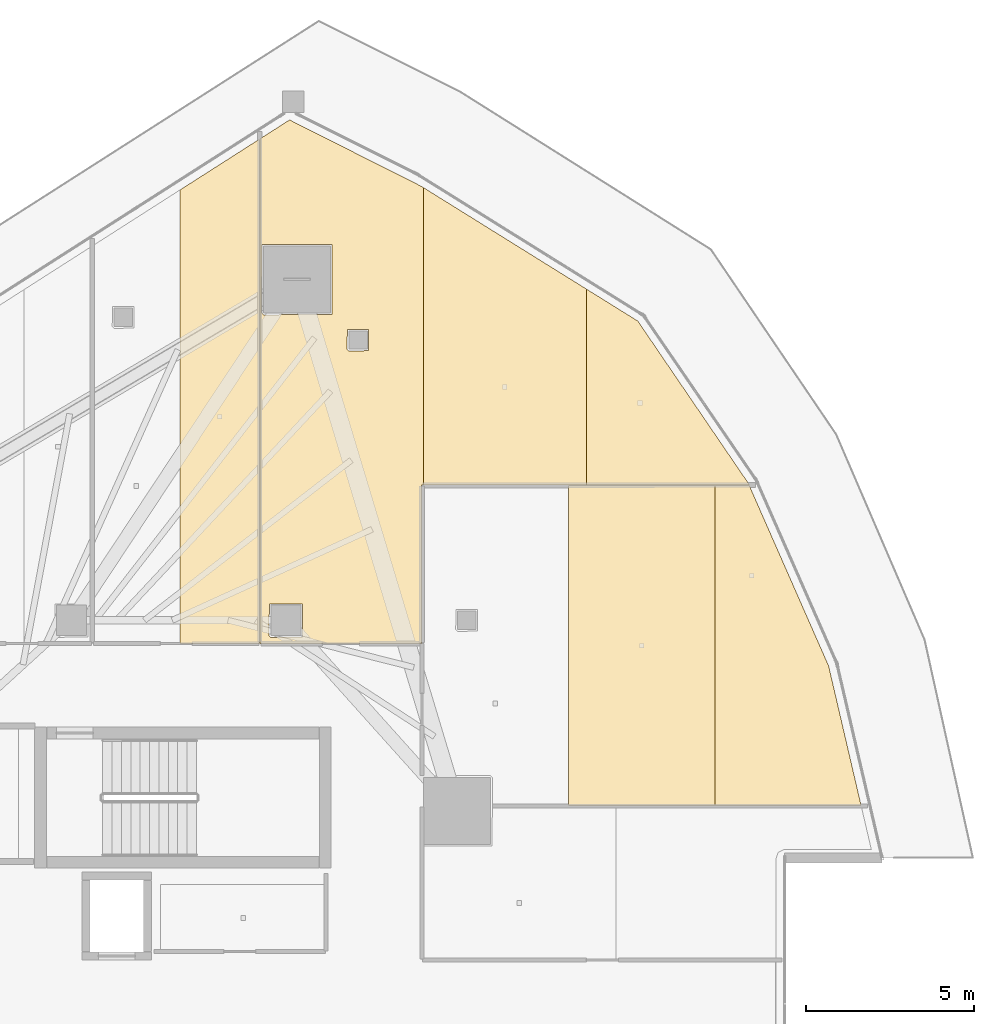
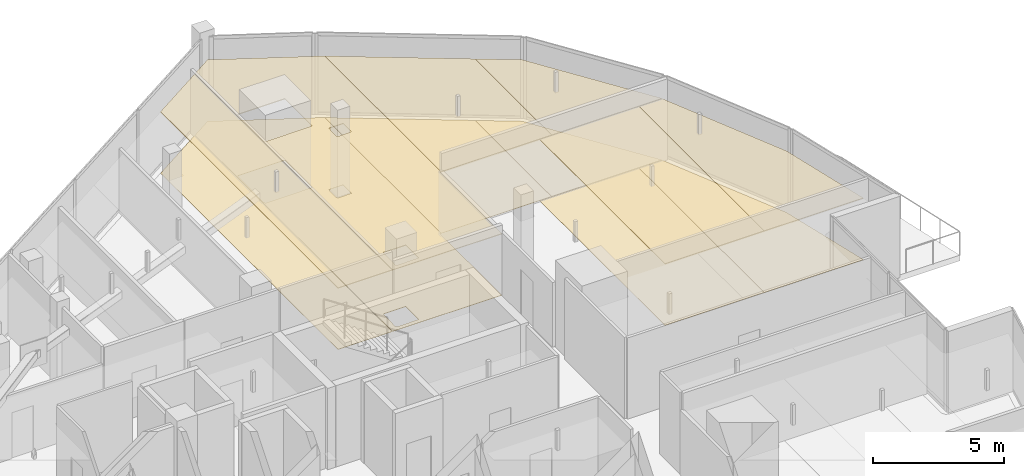
# One storey, part 43 of 43: 12 coverings.
"""IFC4 building model written with IfcOpenShell, lengths in metres."""

from ifc_helpers import new_model, si_unit, direction, frame, origin, place, context, subcontext, project, spatial, polyline, outline, extrude, material, layer, layer_set, type_object, element, save


model = new_model("IFC4")

# Units and contexts
model_context = context("Model", 3, precision=1e-05, world=origin(), true_north=direction((0.0, 1.0)))
body_context = subcontext(model_context, "Body", "Model", "MODEL_VIEW")
ifc_project = project(units=[si_unit("LENGTHUNIT", "METRE"), si_unit("AREAUNIT", "SQUARE_METRE"), si_unit("VOLUMEUNIT", "CUBIC_METRE"), si_unit("PLANEANGLEUNIT", "RADIAN"), si_unit("MASSUNIT", "GRAM", prefix="KILO")], contexts=[model_context])

# Site, building, storey
site_placement = place(None, origin())
site = spatial("IfcSite", under=ifc_project, at=site_placement, CompositionType="ELEMENT")
building_placement = place(site_placement, origin())
building = spatial("IfcBuilding", under=site, at=building_placement, Name="Qorvath Tower", CompositionType="ELEMENT")
storey_placement = place(building_placement, frame((0.0, 0.0, 213.14990234375)))
storey = spatial("IfcBuildingStorey", under=building, at=storey_placement, Name="L49", CompositionType="ELEMENT", Elevation=213.14990234375)

# Coverings
ifc_material_1 = material(Name="Acoustic mineral fibre ceiling tile", Category="gypsum")
ifc_layer_1 = layer(ifc_material_1, 0.030029296875)
ifc_layer_set_1 = layer_set([ifc_layer_1], Name="COV-CEIL")
covering_type_1 = type_object("IfcCoveringType", Name="COV-CEIL", PredefinedType="CEILING", material=ifc_layer_set_1)
covering_1_placement = place(storey_placement, frame((0.0, 0.0, 2.85009765625)))
element("IfcCovering", 1, at=covering_1_placement, inside=storey, type_object=covering_type_1, Name="L49 Suspended Acoustic Ceiling 019", PredefinedType="CEILING", context=body_context, shape_type="SweptSolid", body=[
    extrude(outline(polyline([(-20.368408203125, 24.292724609375), (-20.368408203125, 10.762939453125), (-17.986328125, 10.762939453125), (-17.986328125, 25.815185546875), (-20.368408203125, 24.292724609375)])), origin(), (0.0, 0.0, 1.0), 0.030029296875),
])
covering_2_placement = place(storey_placement, frame((0.0, 0.0, 2.85009765625)))
element("IfcCovering", 2, at=covering_2_placement, inside=storey, type_object=covering_type_1, Name="L49 Suspended Acoustic Ceiling 020", PredefinedType="CEILING", context=body_context, shape_type="SweptSolid", body=[
    extrude(outline(polyline([(-13.100830078125, 15.483154296875), (-13.100830078125, 24.36962890625), (-13.15673828125, 24.404296875), (-17.09130859375, 26.38720703125), (-17.96826171875, 25.82666015625), (-17.96826171875, 10.762939453125), (-13.155029296875, 10.762939453125), (-13.14990234375, 15.483154296875), (-13.100830078125, 15.483154296875)]), holes=[polyline([(-15.381103515625, 19.543212890625), (-15.363525390625, 20.135498046875), (-14.728759765625, 20.135498046875), (-14.728759765625, 19.500732421875), (-15.321044921875, 19.483154296875), (-15.381103515625, 19.543212890625)]), polyline([(-17.931640625, 20.627197265625), (-17.9140625, 22.66943359375), (-15.829345703125, 22.66943359375), (-15.829345703125, 20.584716796875), (-17.87158203125, 20.567138671875), (-17.931640625, 20.627197265625)]), polyline([(-17.7099609375, 11.0), (-17.6923828125, 11.9423828125), (-16.70751953125, 11.9423828125), (-16.70751953125, 10.95751953125), (-17.64990234375, 10.93994140625), (-17.7099609375, 11.0)])]), origin(), (0.0, 0.0, 1.0), 0.030029296875),
])
covering_3_placement = place(storey_placement, frame((0.0, 0.0, 2.85009765625)))
element("IfcCovering", 3, at=covering_3_placement, inside=storey, type_object=covering_type_1, Name="L49 Suspended Acoustic Ceiling 021", PredefinedType="CEILING", context=body_context, shape_type="SweptSolid", body=[
    extrude(outline(polyline([(-8.2333984375, 15.489501953125), (-8.2333984375, 21.33935546875), (-13.100830078125, 24.36962890625), (-13.100830078125, 15.483154296875), (-8.2333984375, 15.489501953125)])), origin(), (0.0, 0.0, 1.0), 0.030029296875),
])
covering_4_placement = place(storey_placement, frame((0.0, 0.0, 2.85009765625)))
element("IfcCovering", 4, at=covering_4_placement, inside=storey, type_object=covering_type_1, Name="L49 Suspended Acoustic Ceiling 022", PredefinedType="CEILING", context=body_context, shape_type="SweptSolid", body=[
    extrude(outline(polyline([(-3.365966796875, 15.49560546875), (-6.696533203125, 20.382568359375), (-8.2333984375, 21.33935546875), (-8.2333984375, 15.489501953125), (-3.365966796875, 15.49560546875)])), origin(), (0.0, 0.0, 1.0), 0.030029296875),
])
covering_5_placement = place(storey_placement, frame((0.0, 0.0, 2.85009765625)))
element("IfcCovering", 5, at=covering_5_placement, inside=storey, type_object=covering_type_1, Name="L49 Suspended Acoustic Ceiling 041", PredefinedType="CEILING", context=body_context, shape_type="SweptSolid", body=[
    extrude(outline(polyline([(-8.768310546875, 15.470703125), (-8.768310546875, 5.91845703125), (-4.3994140625, 5.91845703125), (-4.3994140625, 15.476318359375), (-8.768310546875, 15.470703125)])), origin(), (0.0, 0.0, 1.0), 0.030029296875),
])
covering_6_placement = place(storey_placement, frame((0.0, 0.0, 2.85009765625)))
element("IfcCovering", 6, at=covering_6_placement, inside=storey, type_object=covering_type_1, Name="L49 Suspended Acoustic Ceiling 042", PredefinedType="CEILING", context=body_context, shape_type="SweptSolid", body=[
    extrude(outline(polyline([(-4.3994140625, 15.476318359375), (-4.3994140625, 5.91845703125), (-0.03076171875, 5.91845703125), (-1.001220703125, 10.088623046875), (-3.371337890625, 15.4775390625), (-4.3994140625, 15.476318359375)])), origin(), (0.0, 0.0, 1.0), 0.030029296875),
])
ifc_material_2 = material(Name="Low-VOC modular carpet tile", Category="textile")
ifc_layer_2 = layer(ifc_material_2, 0.014892578125)
ifc_layer_set_2 = layer_set([ifc_layer_2], Name="COV-FLOOR-CPT")
covering_type_2 = type_object("IfcCoveringType", Name="COV-FLOOR-CPT", PredefinedType="FLOORING", material=ifc_layer_set_2)
covering_7_placement = place(storey_placement, origin())
element("IfcCovering", 7, at=covering_7_placement, inside=storey, type_object=covering_type_2, Name="L49 Floor Finish 019", PredefinedType="FLOORING", context=body_context, shape_type="SweptSolid", body=[
    extrude(outline(polyline([(-20.368408203125, 24.292724609375), (-20.368408203125, 10.762939453125), (-17.986328125, 10.762939453125), (-17.986328125, 25.815185546875), (-20.368408203125, 24.292724609375)])), origin(), (0.0, 0.0, 1.0), 0.01513671875),
])
covering_8_placement = place(storey_placement, origin())
element("IfcCovering", 8, at=covering_8_placement, inside=storey, type_object=covering_type_2, Name="L49 Floor Finish 020", PredefinedType="FLOORING", context=body_context, shape_type="SweptSolid", body=[
    extrude(outline(polyline([(-13.100830078125, 15.483154296875), (-13.100830078125, 24.36962890625), (-13.15673828125, 24.404296875), (-17.09130859375, 26.38720703125), (-17.96826171875, 25.82666015625), (-17.96826171875, 10.762939453125), (-13.155029296875, 10.762939453125), (-13.14990234375, 15.483154296875), (-13.100830078125, 15.483154296875)]), holes=[polyline([(-15.381103515625, 19.543212890625), (-15.363525390625, 20.135498046875), (-14.728759765625, 20.135498046875), (-14.728759765625, 19.500732421875), (-15.321044921875, 19.483154296875), (-15.381103515625, 19.543212890625)]), polyline([(-17.931640625, 20.627197265625), (-17.9140625, 22.66943359375), (-15.829345703125, 22.66943359375), (-15.829345703125, 20.584716796875), (-17.87158203125, 20.567138671875), (-17.931640625, 20.627197265625)]), polyline([(-17.7099609375, 11.0), (-17.6923828125, 11.9423828125), (-16.70751953125, 11.9423828125), (-16.70751953125, 10.95751953125), (-17.64990234375, 10.93994140625), (-17.7099609375, 11.0)])]), origin(), (0.0, 0.0, 1.0), 0.01513671875),
])
covering_9_placement = place(storey_placement, origin())
element("IfcCovering", 9, at=covering_9_placement, inside=storey, type_object=covering_type_2, Name="L49 Floor Finish 021", PredefinedType="FLOORING", context=body_context, shape_type="SweptSolid", body=[
    extrude(outline(polyline([(-8.2333984375, 15.489501953125), (-8.2333984375, 21.33935546875), (-13.100830078125, 24.36962890625), (-13.100830078125, 15.483154296875), (-8.2333984375, 15.489501953125)])), origin(), (0.0, 0.0, 1.0), 0.01513671875),
])
covering_10_placement = place(storey_placement, origin())
element("IfcCovering", 10, at=covering_10_placement, inside=storey, type_object=covering_type_2, Name="L49 Floor Finish 022", PredefinedType="FLOORING", context=body_context, shape_type="SweptSolid", body=[
    extrude(outline(polyline([(-3.365966796875, 15.49560546875), (-6.696533203125, 20.382568359375), (-8.2333984375, 21.33935546875), (-8.2333984375, 15.489501953125), (-3.365966796875, 15.49560546875)])), origin(), (0.0, 0.0, 1.0), 0.01513671875),
])
covering_11_placement = place(storey_placement, origin())
element("IfcCovering", 11, at=covering_11_placement, inside=storey, type_object=covering_type_2, Name="L49 Floor Finish 041", PredefinedType="FLOORING", context=body_context, shape_type="SweptSolid", body=[
    extrude(outline(polyline([(-8.768310546875, 15.470703125), (-8.768310546875, 5.91845703125), (-4.3994140625, 5.91845703125), (-4.3994140625, 15.476318359375), (-8.768310546875, 15.470703125)])), origin(), (0.0, 0.0, 1.0), 0.01513671875),
])
covering_12_placement = place(storey_placement, origin())
element("IfcCovering", 12, at=covering_12_placement, inside=storey, type_object=covering_type_2, Name="L49 Floor Finish 042", PredefinedType="FLOORING", context=body_context, shape_type="SweptSolid", body=[
    extrude(outline(polyline([(-4.3994140625, 15.476318359375), (-4.3994140625, 5.91845703125), (-0.03076171875, 5.91845703125), (-1.001220703125, 10.088623046875), (-3.371337890625, 15.4775390625), (-4.3994140625, 15.476318359375)])), origin(), (0.0, 0.0, 1.0), 0.01513671875),
])

save(model, "model.ifc")
